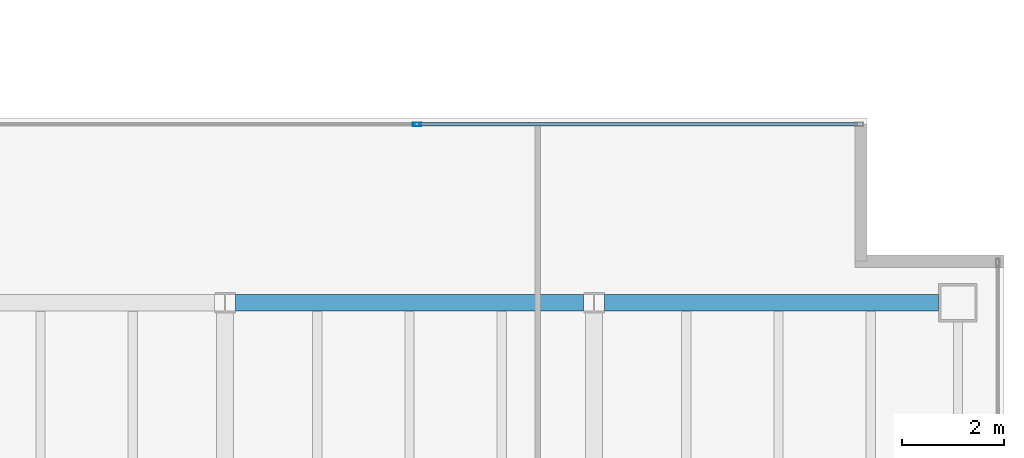
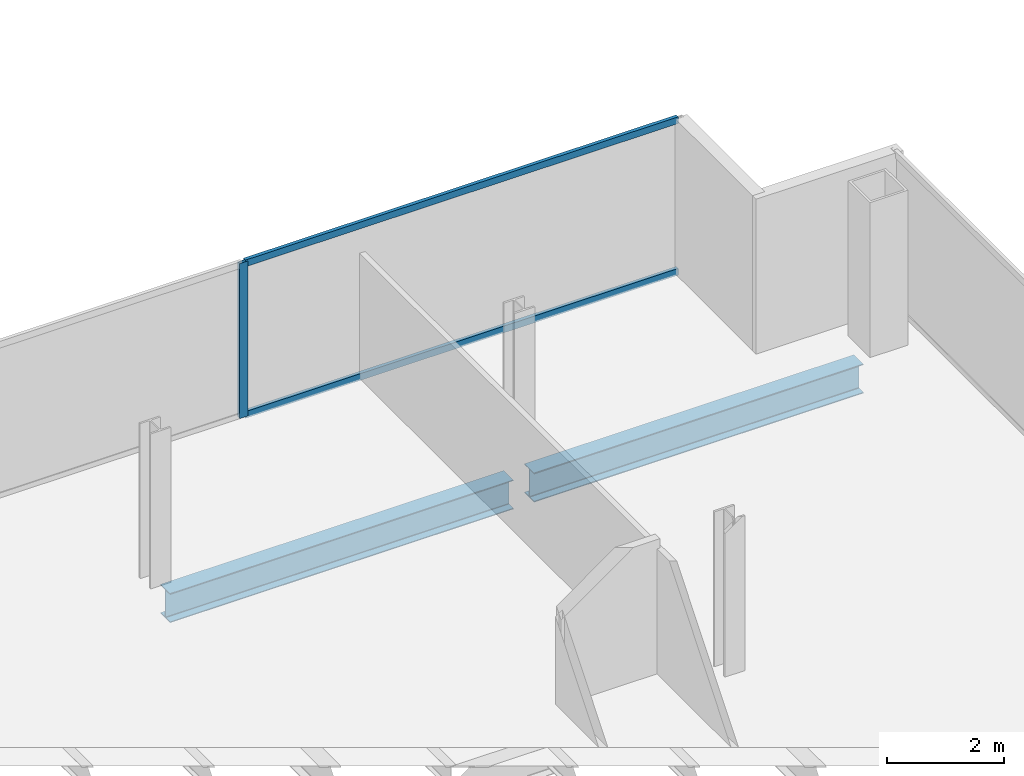
# One storey, part 15 of 23: 3 members, 2 beams, 1 element without a shape of its own.
"""IFC4 building model written with IfcOpenShell, lengths in metres."""

import ifcopenshell
import ifcopenshell.guid

model = None  # the IFC model being written
_history = None  # IfcOwnerHistory: only IFC2X3 demands one
_inside = {}  # id of a spatial element -> (the spatial element, [elements in it])
_under = {}  # id of a project, library or spatial element -> (it, [spatial elements below it])
_declared = {}  # id of a project -> (the project, [libraries it declares])
_typed = {}  # id of a type object -> (the type object, [elements of that type])
_made_of = {}  # id of a material, layer set ... -> (it, [elements and type objects made of it])


def new_model(schema):
    """Start an empty IFC model of exactly this schema.

    Asked for "IFC4X3", IfcOpenShell would pick the latest addendum, in which some entities
    have other attributes; the version numbers below select the first issue.
    IFC2X3 requires an IfcOwnerHistory on every rooted entity: one is made here for all.
    """
    global model, _history
    if schema == "IFC4X3":
        model = ifcopenshell.file(schema_version=(4, 3, 0, 0))
    else:
        model = ifcopenshell.file(schema=schema)
    _inside.clear()
    _under.clear()
    _declared.clear()
    _typed.clear()
    _made_of.clear()
    _history = None
    if model.schema == "IFC2X3":
        org = make("IfcOrganization", Name="unknown")
        user = make(
            "IfcPersonAndOrganization",
            ThePerson=make("IfcPerson", FamilyName="unknown"),
            TheOrganization=org,
        )
        app = make(
            "IfcApplication",
            ApplicationDeveloper=org,
            Version="unknown",
            ApplicationFullName="unknown",
            ApplicationIdentifier="unknown",
        )
        _history = make(
            "IfcOwnerHistory",
            OwningUser=user,
            OwningApplication=app,
            ChangeAction="ADDED",
            CreationDate=0,
        )
    return model


def make(cls, **values):
    """One entity of the class cls with the attributes given. An attribute that is None is left unset."""
    return model.create_entity(
        cls, **{name: value for name, value in values.items() if value is not None}
    )


def rooted(cls, **values):
    """An entity with a GlobalId (a new one), such as an element, a storey or a relation."""
    return make(cls, GlobalId=ifcopenshell.guid.new(), OwnerHistory=_history, **values)


def si_unit(unit_type, name, prefix=None):
    """IfcSIUnit, for example si_unit("LENGTHUNIT", "METRE", prefix="MILLI")."""
    return make("IfcSIUnit", UnitType=unit_type, Prefix=prefix, Name=name)


def assignment(units):
    """IfcUnitAssignment: the units of a project."""
    return None if units is None else make("IfcUnitAssignment", Units=units)


def point(xyz):
    """IfcCartesianPoint."""
    return None if xyz is None else make("IfcCartesianPoint", Coordinates=xyz)


def direction(xyz):
    """IfcDirection."""
    return None if xyz is None else make("IfcDirection", DirectionRatios=xyz)


def frame(location, z_axis=None, x_axis=None):
    """IfcAxis2Placement3D, a coordinate frame: its origin and axes. An axis left out is left unset."""
    return make(
        "IfcAxis2Placement3D",
        Location=point(location),
        Axis=direction(z_axis),
        RefDirection=direction(x_axis),
    )


def frame_2d(location, x_axis=None):
    """IfcAxis2Placement2D, a coordinate frame in the plane: its origin and x axis."""
    return make(
        "IfcAxis2Placement2D", Location=point(location), RefDirection=direction(x_axis)
    )


def origin():
    """The frame at (0, 0, 0) with its axes left unset."""
    return frame((0.0, 0.0, 0.0))


def origin_2d():
    """The frame at (0, 0) in the plane with its x axis left unset."""
    return frame_2d((0.0, 0.0))


def place(relative_to, where):
    """IfcLocalPlacement: puts the frame where relative to a parent placement (None: the world)."""
    return make(
        "IfcLocalPlacement", PlacementRelTo=relative_to, RelativePlacement=where
    )


def context(
    kind, dimensions, precision=None, world=None, true_north=None, identifier=None
):
    """IfcGeometricRepresentationContext, for example the 3D "Model" context."""
    return make(
        "IfcGeometricRepresentationContext",
        ContextIdentifier=identifier,
        ContextType=kind,
        CoordinateSpaceDimension=dimensions,
        Precision=precision,
        WorldCoordinateSystem=world,
        TrueNorth=true_north,
    )


def subcontext(parent, identifier, kind, view, scale=None):
    """IfcGeometricRepresentationSubContext, for example "Body" below "Model"."""
    return make(
        "IfcGeometricRepresentationSubContext",
        ContextIdentifier=identifier,
        ContextType=kind,
        ParentContext=parent,
        TargetScale=scale,
        TargetView=view,
    )


def project(units=None, contexts=None):
    """IfcProject with its units and contexts."""
    return rooted(
        "IfcProject",
        Name="project",
        RepresentationContexts=contexts,
        UnitsInContext=assignment(units),
    )


def spatial(cls, under=None, at=None, **own):
    """A site, building, storey or space (cls), placed at a placement, below another one or the project."""
    s = rooted(cls, ObjectPlacement=at, **own)
    if under is not None:
        _under.setdefault(under.id(), (under, []))[1].append(s)
    return s


def profile(cls, at=None, kind="AREA", **sizes):
    """A parametric profile (cls). Its sizes go by their IFC names, for example OverallWidth=200.0."""
    return make(cls, ProfileType=kind, Position=at, **sizes)


def hollow_rectangle(**sizes):
    """IfcRectangleHollowProfileDef."""
    return profile("IfcRectangleHollowProfileDef", **sizes)


def i_section(**sizes):
    """IfcIShapeProfileDef."""
    return profile("IfcIShapeProfileDef", **sizes)


def extrude(swept, where, along, depth):
    """IfcExtrudedAreaSolid: the profile swept, set in the frame where, extruded along a direction by depth."""
    return make(
        "IfcExtrudedAreaSolid",
        SweptArea=swept,
        Position=where,
        ExtrudedDirection=direction(along),
        Depth=depth,
    )


def shape(context_of_items, identifier, shape_type, items):
    """IfcShapeRepresentation: the items that make up one representation, for example the "Body"."""
    return make(
        "IfcShapeRepresentation",
        ContextOfItems=context_of_items,
        RepresentationIdentifier=identifier,
        RepresentationType=shape_type,
        Items=items,
    )


def material(Name=None, Category=None):
    """IfcMaterial."""
    return make("IfcMaterial", Name=Name, Category=Category)


def material_profile(
    of_material, cross_section, Name=None, Category=None, Priority=None
):
    """IfcMaterialProfile: a cross section and its material."""
    return make(
        "IfcMaterialProfile",
        Name=Name,
        Material=of_material,
        Profile=cross_section,
        Priority=Priority,
        Category=Category,
    )


def profile_set(profiles, Name=None, composite=None):
    """IfcMaterialProfileSet."""
    return make(
        "IfcMaterialProfileSet",
        Name=Name,
        MaterialProfiles=profiles,
        CompositeProfile=composite,
    )


def made_of(thing, what):
    """Note that an element or type object is made of a material, layer set ...; save() writes the relation."""
    if what is not None:
        _made_of.setdefault(what.id(), (what, []))[1].append(thing)
    return thing


def type_object(cls, material=None, **own):
    """A type object (cls), such as IfcWallType, which elements share."""
    return made_of(rooted(cls, **own), material)


def element(
    cls,
    number,
    at=None,
    inside=None,
    cuts=None,
    type_object=None,
    material=None,
    context=None,
    identifier="Body",
    shape_type=None,
    held_by="IfcProductDefinitionShape",
    body=None,
    shapes=None,
    **own,
):
    """One element of the class cls, such as IfcWall. Its Tag is "e" and its number.

    at: its placement. inside: the storey or other place that contains it. cuts: it is an
    opening in that element (IfcRelVoidsElement). A single representation is given by context,
    identifier, shape_type and body (its items); several are given by shapes. held_by: the class
    of the entity that holds the representations. save() writes the other relations.
    """
    e = rooted(cls, Tag="e%d" % number, ObjectPlacement=at, **own)
    if body is not None:
        shapes = [shape(context, identifier, shape_type, body)]
    if shapes is not None:
        e.Representation = make(held_by, Representations=shapes)
    if inside is not None:
        _inside.setdefault(inside.id(), (inside, []))[1].append(e)
    if cuts is not None:
        rooted(
            "IfcRelVoidsElement", RelatingBuildingElement=cuts, RelatedOpeningElement=e
        )
    if type_object is not None:
        _typed.setdefault(type_object.id(), (type_object, []))[1].append(e)
    return made_of(e, material)


def aggregate(whole, parts):
    """IfcRelAggregates: a whole, such as a stair, and the parts it consists of."""
    return rooted("IfcRelAggregates", RelatingObject=whole, RelatedObjects=parts)


def save(model, path):
    """Write the relations noted so far, then the file.

    IfcRelAggregates (storeys below a building ...), IfcRelContainedInSpatialStructure (elements
    in a storey), IfcRelDefinesByType, IfcRelAssociatesMaterial and IfcRelDeclares: one each for
    every whole, place, type object, material and project.
    """
    for whole, parts in _under.values():
        aggregate(whole, parts)
    for where, things in _inside.values():
        rooted(
            "IfcRelContainedInSpatialStructure",
            RelatedElements=things,
            RelatingStructure=where,
        )
    for kind, things in _typed.values():
        rooted("IfcRelDefinesByType", RelatedObjects=things, RelatingType=kind)
    for what, things in _made_of.values():
        rooted("IfcRelAssociatesMaterial", RelatedObjects=things, RelatingMaterial=what)
    for by, libraries in _declared.values():
        rooted("IfcRelDeclares", RelatingContext=by, RelatedDefinitions=libraries)
    model.write(path)


model = new_model("IFC4")

# Units and contexts
model_context = context("Model", 3, precision=1e-05, world=origin(), true_north=direction((0.0, 1.0)))
body_context = subcontext(model_context, "Body", "Model", "MODEL_VIEW")
ifc_project = project(units=[si_unit("LENGTHUNIT", "METRE"), si_unit("AREAUNIT", "SQUARE_METRE"), si_unit("VOLUMEUNIT", "CUBIC_METRE"), si_unit("PLANEANGLEUNIT", "RADIAN"), si_unit("MASSUNIT", "GRAM", prefix="KILO")], contexts=[model_context])

# Site, building, storey
site_placement = place(None, origin())
site = spatial("IfcSite", under=ifc_project, at=site_placement, CompositionType="ELEMENT")
building_placement = place(site_placement, origin())
building = spatial("IfcBuilding", under=site, at=building_placement, Name="Cobrela Telecom Tower", CompositionType="ELEMENT")
storey_placement = place(building_placement, frame((0.0, 0.0, 222.25)))
storey = spatial("IfcBuildingStorey", under=building, at=storey_placement, Name="L57", CompositionType="ELEMENT", Elevation=222.25)

# Beams
ifc_material_1 = material(Name="Steel ASTM A992 Grade 50", Category="steel")
ifc_material_profile_1 = material_profile(ifc_material_1, i_section(OverallWidth=0.324951171875, OverallDepth=0.612060546875, WebThickness=0.0126953125, FlangeThickness=0.01904296875, FilletRadius=0.014892578125, at=origin_2d()), Name="W24X104")
ifc_profile_set_1 = profile_set([ifc_material_profile_1], Name="Steel ASTM A992 Grade 50")
beam_type = type_object("IfcBeamType", Name="BM-GIRD-07", PredefinedType="USERDEFINED", material=ifc_profile_set_1)
beam_1_placement = place(storey_placement, frame((29.00439453125, 21.60009765625, -0.56591796875), z_axis=(1.0, 0.0, 0.0), x_axis=(0.0, 1.0, 0.0)))
element("IfcBeam", 1, at=beam_1_placement, inside=storey, type_object=beam_type, Name="L57 Primary Girder X17", ObjectType="GIRDER", PredefinedType="USERDEFINED", context=body_context, shape_type="SweptSolid", body=[
    extrude(i_section(OverallWidth=0.324951171875, OverallDepth=0.612060546875, WebThickness=0.0126953125, FlangeThickness=0.01904296875, FilletRadius=0.014892578125, at=origin_2d()), origin(), (0.0, 0.0, 1.0), 6.791015625),
])
beam_2_placement = place(storey_placement, frame((36.20458984375, 21.60009765625, -0.56591796875), z_axis=(1.0, 0.0, 0.0), x_axis=(0.0, 1.0, 0.0)))
element("IfcBeam", 2, at=beam_2_placement, inside=storey, type_object=beam_type, Name="L57 Primary Girder X18", ObjectType="GIRDER", PredefinedType="USERDEFINED", context=body_context, shape_type="SweptSolid", body=[
    extrude(i_section(OverallWidth=0.324951171875, OverallDepth=0.612060546875, WebThickness=0.0126953125, FlangeThickness=0.01904296875, FilletRadius=0.014892578125, at=origin_2d()), origin(), (0.0, 0.0, 1.0), 6.515380859375),
])

# Curtain wall, members
ifc_material_2 = material(Name="Anodized Bronze Aluminium 6063-T6", Category="aluminium")
curtain_wall_type = type_object("IfcCurtainWallType", Name="CW-SYS-OFF-LO", PredefinedType="USERDEFINED", material=ifc_material_2)
curtain_wall_placement = place(storey_placement, origin())
curtain_wall = element("IfcCurtainWall", 3, at=curtain_wall_placement, inside=storey, type_object=curtain_wall_type, Name="L57 Unitised Bronze Curtain Wall 11", ObjectType="UNITISED CURTAIN WALL", PredefinedType="USERDEFINED")
ifc_material_profile_2 = material_profile(ifc_material_2, hollow_rectangle(XDim=0.070068359375, YDim=0.159912109375, WallThickness=0.00390625, at=origin_2d()), Name="ALU 70x160x4")
ifc_profile_set_2 = profile_set([ifc_material_profile_2], Name="Anodized Bronze Aluminium 6063-T6")
member_type_1 = type_object("IfcMemberType", Name="CW-SYS-OFF-LO-MUL", PredefinedType="MULLION", material=ifc_profile_set_2)
member_1_placement = place(storey_placement, frame((32.544921875, 25.080078125, 0.0), z_axis=(0.0, 0.0, 1.0), x_axis=(0.0, 1.0, 0.0)))
member_1 = element("IfcMember", 4, at=member_1_placement, type_object=member_type_1, Name="CW-OFF-LO mullion 2", PredefinedType="MULLION", context=body_context, shape_type="SweptSolid", body=[
    extrude(hollow_rectangle(XDim=0.070068359375, YDim=0.159912109375, WallThickness=0.00390625, at=origin_2d()), origin(), (0.0, 0.0, 1.0), 3.239990234375),
])
ifc_material_profile_3 = material_profile(ifc_material_2, hollow_rectangle(XDim=0.070068359375, YDim=0.139892578125, WallThickness=0.00390625, at=origin_2d()), Name="ALU 70x140x4")
ifc_profile_set_3 = profile_set([ifc_material_profile_3], Name="Anodized Bronze Aluminium 6063-T6")
member_type_2 = type_object("IfcMemberType", Name="CW-SYS-OFF-LO-TRN", PredefinedType="USERDEFINED", material=ifc_profile_set_3)
member_2_placement = place(storey_placement, frame((32.580078125, 25.080078125, 0.034912109375), z_axis=(1.0, 0.0, 0.0), x_axis=(0.0, 1.0, 0.0)))
member_2 = element("IfcMember", 5, at=member_2_placement, type_object=member_type_2, Name="CW-OFF-LO transom 2.1", ObjectType="TRANSOM", PredefinedType="USERDEFINED", context=body_context, shape_type="SweptSolid", body=[
    extrude(hollow_rectangle(XDim=0.070068359375, YDim=0.139892578125, WallThickness=0.00390625, at=origin_2d()), origin(), (0.0, 0.0, 1.0), 8.559814453125),
])
member_3_placement = place(storey_placement, frame((32.580078125, 25.080078125, 3.205078125), z_axis=(1.0, 0.0, 0.0), x_axis=(0.0, 1.0, 0.0)))
member_3 = element("IfcMember", 6, at=member_3_placement, type_object=member_type_2, Name="CW-OFF-LO transom 2.2", ObjectType="TRANSOM", PredefinedType="USERDEFINED", context=body_context, shape_type="SweptSolid", body=[
    extrude(hollow_rectangle(XDim=0.070068359375, YDim=0.139892578125, WallThickness=0.00390625, at=origin_2d()), origin(), (0.0, 0.0, 1.0), 8.559814453125),
])
aggregate(curtain_wall, [member_1, member_2, member_3])

save(model, "model.ifc")
